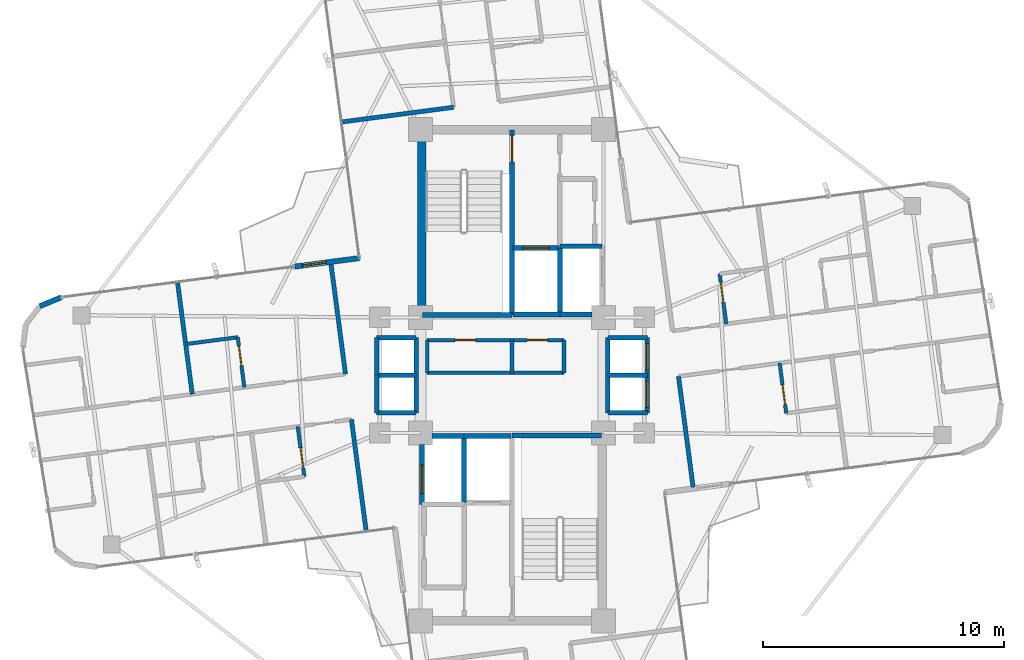
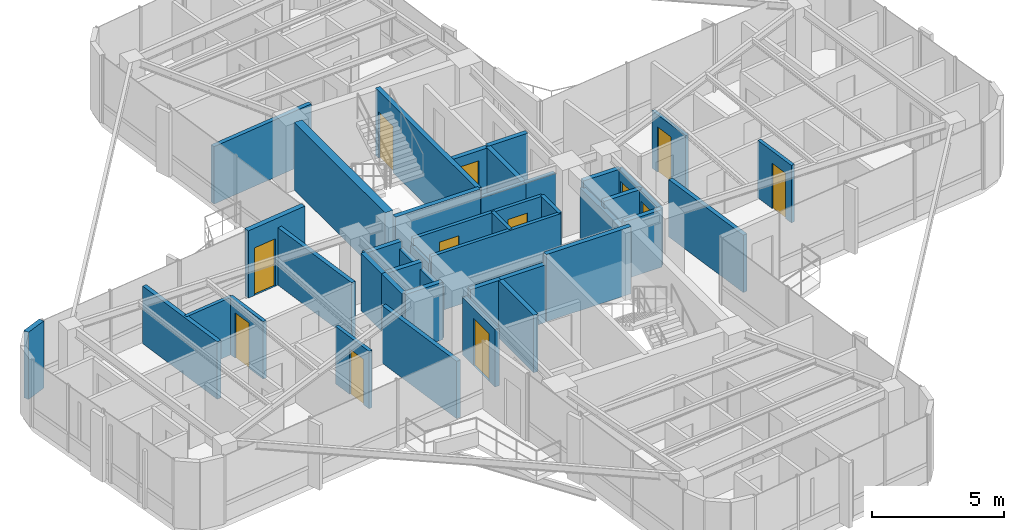
# One storey, part 19 of 22: 42 walls, 12 doors, 12 openings.
"""IFC4 building model written with IfcOpenShell, lengths in metres."""

from ifc_helpers import new_model, si_unit, direction, frame, frame_2d, origin, origin_2d, place, context, subcontext, project, spatial, rectangle, extrude, source, transform, mapped, material, layer, layer_set, type_object, element, fill, save


model = new_model("IFC4")

# Units and contexts
model_context = context("Model", 3, precision=1e-05, world=origin(), true_north=direction((0.0, 1.0)))
body_context = subcontext(model_context, "Body", "Model", "MODEL_VIEW")
ifc_project = project(units=[si_unit("LENGTHUNIT", "METRE"), si_unit("AREAUNIT", "SQUARE_METRE"), si_unit("VOLUMEUNIT", "CUBIC_METRE"), si_unit("PLANEANGLEUNIT", "RADIAN"), si_unit("MASSUNIT", "GRAM", prefix="KILO")], contexts=[model_context])

# Site, building, storey
site_placement = place(None, origin())
site = spatial("IfcSite", under=ifc_project, at=site_placement, CompositionType="ELEMENT")
building_placement = place(site_placement, origin())
building = spatial("IfcBuilding", under=site, at=building_placement, Name="Sahyath Konkavel Grand Hotel", CompositionType="ELEMENT")
storey_placement = place(building_placement, frame((0.0, 0.0, 206.5)))
storey = spatial("IfcBuildingStorey", under=building, at=storey_placement, Name="L57", CompositionType="ELEMENT", Elevation=206.5)

# Wall
ifc_material_1 = material(Name="Concrete C40/50", Category="concrete")
ifc_layer_1 = layer(ifc_material_1, 0.35009765625)
ifc_layer_set_1 = layer_set([ifc_layer_1], Name="Concrete C40/50")
wall_type_1 = type_object("IfcWallType", Name="CWALL-350", PredefinedType="SHEAR", material=ifc_layer_set_1)
wall_1_placement = place(storey_placement, frame((-3.739990234375, 2.85009765625, 0.0), z_axis=(0.0, 0.0, 1.0), x_axis=(0.0, 1.0, 0.0)))
element("IfcWall", 1, at=wall_1_placement, inside=storey, type_object=wall_type_1, Name="L57 North Core Shear Wall W", PredefinedType="SHEAR", context=body_context, shape_type="SweptSolid", body=[
    extrude(rectangle(XDim=6.89990234375, YDim=0.35009765625, at=frame_2d((3.449951171875, 0.0))), origin(), (0.0, 0.0, 1.0), 3.110107421875),
])

# Wall, opening, door
ifc_material_2 = material(Name="Warm Buff Sandstone Insulated Concrete C40/50", Category="masonry")
ifc_layer_2 = layer(ifc_material_2, 0.219970703125)
ifc_layer_set_2 = layer_set([ifc_layer_2], Name="Warm Buff Sandstone Insulated Concrete C40/50")
wall_type_2 = type_object("IfcWallType", Name="WLL-BALC-THRESH", PredefinedType="STANDARD", material=ifc_layer_set_2)
wall_2_placement = place(storey_placement, frame((-6.339111328125, 4.8642578125, 0.0), z_axis=(0.0, 0.0, 1.0), x_axis=(-0.991439824936, -0.130564442062, 0.0)))
wall_2 = element("IfcWall", 2, at=wall_2_placement, inside=storey, type_object=wall_type_2, Name="L57 Winter-Garden Threshold Wall 16", PredefinedType="STANDARD", context=body_context, shape_type="SweptSolid", body=[
    extrude(rectangle(XDim=2.7001953125, YDim=0.219970703125, at=frame_2d((1.35009765625, 0.0))), origin(), (0.0, 0.0, 1.0), 3.110107421875),
])
opening_1_placement = place(wall_2_placement, frame((1.39990234375, 0.0, 0.0)))
opening_1 = element("IfcOpeningElement", 3, at=opening_1_placement, cuts=wall_2, Name="Opening D-TR1", PredefinedType="OPENING", context=body_context, shape_type="SweptSolid", body=[
    extrude(rectangle(XDim=1.0, YDim=2.199951171875, at=frame_2d((0.5, 1.10009765625))), frame((0.0, 0.1201171875, 0.0), z_axis=(0.0, -1.0, 0.0), x_axis=(1.0, 0.0, 0.0)), (0.0, 0.0, 1.0), 0.239990234375),
])
ifc_material_3 = material(Name="Anodised Bronze Aluminium & Low-E Glazing", Category="aluminium")
door_type_1 = type_object("IfcDoorType", Name="DR-TERRACE-1000", OperationType="NOTDEFINED", PredefinedType="DOOR", material=ifc_material_3)
shared_shape_1 = source(origin(), body_context, "Body", "SweptSolid", [
    extrude(rectangle(XDim=1.0, YDim=0.050048828125, at=origin_2d()), origin(), (0.0, 0.0, 1.0), 2.199951171875),
])
door_1_placement = place(opening_1_placement, frame((0.5, 0.0, 0.0)))
door_1 = element("IfcDoor", 4, at=door_1_placement, inside=storey, type_object=door_type_1, Name="L57 Winter-Garden Terrace Door 16", OperationType="SINGLE_SWING_LEFT", OverallHeight=2.199951171875, OverallWidth=1.0, PredefinedType="DOOR", context=body_context, shape_type="MappedRepresentation", body=[
    mapped(shared_shape_1, transform((0.0, 0.0, 0.0), scale=1.0)),
])
fill(opening_1, door_1)

# Wall
wall_3_placement = place(storey_placement, frame((-18.732177734375, 3.232666015625, 0.0), z_axis=(0.0, 0.0, 1.0), x_axis=(-0.923889442397, -0.382659506909, 0.0)))
element("IfcWall", 5, at=wall_3_placement, inside=storey, type_object=wall_type_2, Name="L57 Rounded Corner Sandstone Pier 17", PredefinedType="STANDARD", context=body_context, shape_type="SweptSolid", body=[
    extrude(rectangle(XDim=0.957763671875, YDim=0.219970703125, at=frame_2d((0.47900390625, 0.0))), origin(), (0.0, 0.0, 1.0), 3.110107421875),
])

# Wall, opening, door
ifc_layer_3 = layer(ifc_material_1, 0.199951171875)
ifc_layer_set_3 = layer_set([ifc_layer_3], Name="Concrete C40/50")
wall_type_3 = type_object("IfcWallType", Name="WLL-CORE-200", PredefinedType="SOLIDWALL", material=ifc_layer_set_3)
wall_4_placement = place(storey_placement, frame((0.0, 2.5, 0.0), z_axis=(0.0, 0.0, 1.0), x_axis=(0.0, 1.0, 0.0)))
wall_4 = element("IfcWall", 6, at=wall_4_placement, inside=storey, type_object=wall_type_3, Name="L57 Stair ST-1 Shaft Wall E", PredefinedType="SOLIDWALL", context=body_context, shape_type="SweptSolid", body=[
    extrude(rectangle(XDim=7.679931640625, YDim=0.199951171875, at=frame_2d((3.83984375, 0.0))), origin(), (0.0, 0.0, 1.0), 3.110107421875),
])
opening_2_placement = place(wall_4_placement, frame((6.360107421875, 0.0, 0.0)))
opening_2 = element("IfcOpeningElement", 7, at=opening_2_placement, cuts=wall_4, Name="Opening D-F12B", PredefinedType="OPENING", context=body_context, shape_type="SweptSolid", body=[
    extrude(rectangle(XDim=1.10009765625, YDim=2.14990234375, at=frame_2d((0.550048828125, 1.074951171875))), frame((0.0, 0.10986328125, 0.0), z_axis=(0.0, -1.0, 0.0), x_axis=(1.0, 0.0, 0.0)), (0.0, 0.0, 1.0), 0.219970703125),
])
ifc_material_4 = material(Name="Steel E350 Smokeproof Fire Door", Category="steel")
door_type_2 = type_object("IfcDoorType", Name="DR-FD120-1100", OperationType="NOTDEFINED", PredefinedType="DOOR", material=ifc_material_4)
shared_shape_2 = source(origin(), body_context, "Body", "SweptSolid", [
    extrude(rectangle(XDim=1.10009765625, YDim=0.050048828125, at=origin_2d()), origin(), (0.0, 0.0, 1.0), 2.14990234375),
])
door_2_placement = place(opening_2_placement, frame((0.550048828125, 0.0, 0.0)))
door_2 = element("IfcDoor", 8, at=door_2_placement, inside=storey, type_object=door_type_2, Name="L57 Stair ST-1 Fire Door", OperationType="SINGLE_SWING_LEFT", OverallHeight=2.14990234375, OverallWidth=1.10009765625, PredefinedType="DOOR", context=body_context, shape_type="MappedRepresentation", body=[
    mapped(shared_shape_2, transform((0.0, 0.0, 0.0), scale=1.0)),
])
fill(opening_2, door_2)

# Walls
for number, where, z_axis, x_axis, name in (
    (9, (-3.719970703125, 2.5, 0.0), (0.0, 0.0, 1.0), (1.0, 0.0, 0.0), "L57 Stair ST-1 Shaft Wall S"),
    (10, (0.0, -2.5, 0.0), (0.0, 0.0, 1.0), (1.0, 0.0, 0.0), "L57 Stair ST-2 Shaft Wall N"),
):
    element("IfcWall", number, at=place(storey_placement, frame(where, z_axis=z_axis, x_axis=x_axis)), inside=storey, type_object=wall_type_3, Name=name, PredefinedType="SOLIDWALL", context=body_context, shape_type="SweptSolid", body=[
        extrude(rectangle(XDim=3.719970703125, YDim=0.199951171875, at=frame_2d((1.85986328125, 0.0))), origin(), (0.0, 0.0, 1.0), 3.110107421875),
    ])
wall_5_placement = place(storey_placement, frame((2.0, 2.5, 0.0), z_axis=(0.0, 0.0, 1.0), x_axis=(0.0, 1.0, 0.0)))
element("IfcWall", 11, at=wall_5_placement, inside=storey, type_object=wall_type_3, Name="L57 Partition SH-FFL1-E", PredefinedType="SOLIDWALL", context=body_context, shape_type="SweptSolid", body=[
    extrude(rectangle(XDim=2.780029296875, YDim=0.199951171875, at=frame_2d((1.39013671875, 0.0))), origin(), (0.0, 0.0, 1.0), 2.659912109375),
])
wall_6_placement = place(storey_placement, frame((0.050048828125, 2.52001953125, 0.0), z_axis=(0.0, 0.0, 1.0), x_axis=(1.0, 0.0, 0.0)))
element("IfcWall", 12, at=wall_6_placement, inside=storey, type_object=wall_type_3, Name="L57 Partition SH-FFL1-S", PredefinedType="SOLIDWALL", context=body_context, shape_type="SweptSolid", body=[
    extrude(rectangle(XDim=1.949951171875, YDim=0.199951171875, at=frame_2d((0.97509765625, 0.0))), origin(), (0.0, 0.0, 1.0), 2.659912109375),
])

# Wall, opening, door
wall_7_placement = place(storey_placement, frame((0.050048828125, 5.280029296875, 0.0), z_axis=(0.0, 0.0, 1.0), x_axis=(1.0, 0.0, 0.0)))
wall_7 = element("IfcWall", 13, at=wall_7_placement, inside=storey, type_object=wall_type_3, Name="L57 Partition SH-FFL1-N", PredefinedType="SOLIDWALL", context=body_context, shape_type="SweptSolid", body=[
    extrude(rectangle(XDim=1.929931640625, YDim=0.199951171875, at=frame_2d((0.96484375, 0.0))), origin(), (0.0, 0.0, 1.0), 2.659912109375),
])
opening_3_placement = place(wall_7_placement, frame((0.39990234375, 0.0, 0.0)))
opening_3 = element("IfcOpeningElement", 14, at=opening_3_placement, cuts=wall_7, Name="Opening LD-11", PredefinedType="OPENING", context=body_context, shape_type="SweptSolid", body=[
    extrude(rectangle(XDim=1.10009765625, YDim=2.199951171875, at=frame_2d((0.550048828125, 1.10009765625))), frame((0.0, 0.10986328125, 0.0), z_axis=(0.0, -1.0, 0.0), x_axis=(1.0, 0.0, 0.0)), (0.0, 0.0, 1.0), 0.219970703125),
])
ifc_material_5 = material(Name="Bronze Lift Landing Door 1100")
door_type_3 = type_object("IfcDoorType", Name="DR-LIFT-1100", OperationType="DOUBLE_DOOR_SLIDING", PredefinedType="DOOR", material=ifc_material_5)
shared_shape_3 = source(origin(), body_context, "Body", "SweptSolid", [
    extrude(rectangle(XDim=1.10009765625, YDim=0.050048828125, at=origin_2d()), origin(), (0.0, 0.0, 1.0), 2.199951171875),
])
door_3_placement = place(opening_3_placement, frame((0.550048828125, 0.0, 0.0)))
door_3 = element("IfcDoor", 15, at=door_3_placement, inside=storey, type_object=door_type_3, Name="L57 Lift FFL-1 Landing Door", OperationType="DOUBLE_DOOR_SLIDING", OverallHeight=2.199951171875, OverallWidth=1.10009765625, PredefinedType="DOOR", context=body_context, shape_type="MappedRepresentation", body=[
    mapped(shared_shape_3, transform((0.0, 0.0, 0.0), scale=1.0)),
])
fill(opening_3, door_3)

# Walls
wall_8_placement = place(storey_placement, frame((-2.0, -5.280029296875, 0.0), z_axis=(0.0, 0.0, 1.0), x_axis=(0.0, 1.0, 0.0)))
element("IfcWall", 16, at=wall_8_placement, inside=storey, type_object=wall_type_3, Name="L57 Partition SH-FFL2-W", PredefinedType="SOLIDWALL", context=body_context, shape_type="SweptSolid", body=[
    extrude(rectangle(XDim=2.780029296875, YDim=0.199951171875, at=frame_2d((1.39013671875, 0.0))), origin(), (0.0, 0.0, 1.0), 2.659912109375),
])
wall_9_placement = place(storey_placement, frame((-2.0, -2.52001953125, 0.0), z_axis=(0.0, 0.0, 1.0), x_axis=(1.0, 0.0, 0.0)))
element("IfcWall", 17, at=wall_9_placement, inside=storey, type_object=wall_type_3, Name="L57 Partition SH-FFL2-N", PredefinedType="SOLIDWALL", context=body_context, shape_type="SweptSolid", body=[
    extrude(rectangle(XDim=1.949951171875, YDim=0.199951171875, at=frame_2d((0.97509765625, 0.0))), origin(), (0.0, 0.0, 1.0), 2.659912109375),
])
wall_10_placement = place(storey_placement, frame((2.0, 2.52001953125, 0.0), z_axis=(0.0, 0.0, 1.0), x_axis=(1.0, 0.0, 0.0)))
element("IfcWall", 18, at=wall_10_placement, inside=storey, type_object=wall_type_3, Name="L57 Partition SH-SVL1-S", PredefinedType="SOLIDWALL", context=body_context, shape_type="SweptSolid", body=[
    extrude(rectangle(XDim=1.320068359375, YDim=0.199951171875, at=frame_2d((0.66015625, 0.0))), origin(), (0.0, 0.0, 1.0), 2.659912109375),
])
wall_11_placement = place(storey_placement, frame((2.0, 5.360107421875, 0.0), z_axis=(0.0, 0.0, 1.0), x_axis=(1.0, 0.0, 0.0)))
element("IfcWall", 19, at=wall_11_placement, inside=storey, type_object=wall_type_3, Name="L57 Partition SH-SVL1-N", PredefinedType="SOLIDWALL", context=body_context, shape_type="SweptSolid", body=[
    extrude(rectangle(XDim=1.739990234375, YDim=0.199951171875, at=frame_2d((0.8701171875, 0.0))), origin(), (0.0, 0.0, 1.0), 2.659912109375),
])
wall_12_placement = place(storey_placement, frame((-3.320068359375, -2.52001953125, 0.0), z_axis=(0.0, 0.0, 1.0), x_axis=(1.0, 0.0, 0.0)))
element("IfcWall", 20, at=wall_12_placement, inside=storey, type_object=wall_type_3, Name="L57 Partition SH-SVL2-N", PredefinedType="SOLIDWALL", context=body_context, shape_type="SweptSolid", body=[
    extrude(rectangle(XDim=1.320068359375, YDim=0.199951171875, at=frame_2d((0.66015625, 0.0))), origin(), (0.0, 0.0, 1.0), 2.659912109375),
])

# Wall, opening, door
wall_13_placement = place(storey_placement, frame((-3.739990234375, -5.360107421875, 0.0), z_axis=(0.0, 0.0, 1.0), x_axis=(0.0, 1.0, 0.0)))
wall_13 = element("IfcWall", 21, at=wall_13_placement, inside=storey, type_object=wall_type_3, Name="L57 Partition SH-SVL2-W", PredefinedType="SOLIDWALL", context=body_context, shape_type="SweptSolid", body=[
    extrude(rectangle(XDim=2.480224609375, YDim=0.199951171875, at=frame_2d((1.240234375, 0.0))), origin(), (0.0, 0.0, 1.0), 2.659912109375),
])
opening_4_placement = place(wall_13_placement, frame((0.43994140625, 0.0, 0.0)))
opening_4 = element("IfcOpeningElement", 22, at=opening_4_placement, cuts=wall_13, Name="Opening LD-12", PredefinedType="OPENING", context=body_context, shape_type="SweptSolid", body=[
    extrude(rectangle(XDim=1.199951171875, YDim=2.199951171875, at=frame_2d((0.60009765625, 1.10009765625))), frame((0.0, 0.10986328125, 0.0), z_axis=(0.0, -1.0, 0.0), x_axis=(1.0, 0.0, 0.0)), (0.0, 0.0, 1.0), 0.219970703125),
])
ifc_material_6 = material(Name="Stainless Steel Lift Landing Door 1200", Category="steel")
door_type_4 = type_object("IfcDoorType", Name="DR-LIFT-1200", OperationType="DOUBLE_DOOR_SLIDING", PredefinedType="DOOR", material=ifc_material_6)
shared_shape_4 = source(origin(), body_context, "Body", "SweptSolid", [
    extrude(rectangle(XDim=1.199951171875, YDim=0.050048828125, at=origin_2d()), origin(), (0.0, 0.0, 1.0), 2.199951171875),
])
door_4_placement = place(opening_4_placement, frame((0.60009765625, 0.0, 0.0)))
door_4 = element("IfcDoor", 23, at=door_4_placement, inside=storey, type_object=door_type_4, Name="L57 Service Lift SVL-2 Landing Door", OperationType="DOUBLE_DOOR_SLIDING", OverallHeight=2.199951171875, OverallWidth=1.199951171875, PredefinedType="DOOR", context=body_context, shape_type="MappedRepresentation", body=[
    mapped(shared_shape_4, transform((0.0, 0.0, 0.0), scale=1.0)),
])
fill(opening_4, door_4)

# Walls
wall_14_placement = place(storey_placement, frame((3.97998046875, -1.56005859375, 0.0), z_axis=(0.0, 0.0, 1.0), x_axis=(0.0, 1.0, 0.0)))
element("IfcWall", 24, at=wall_14_placement, inside=storey, type_object=wall_type_3, Name="L57 Partition SH-PL56-W", PredefinedType="SOLIDWALL", context=body_context, shape_type="SweptSolid", body=[
    extrude(rectangle(XDim=3.1201171875, YDim=0.199951171875, at=frame_2d((1.56005859375, 0.0))), origin(), (0.0, 0.0, 1.0), 2.330078125),
])
for number, where, z_axis, x_axis, name in (
    (25, (3.97998046875, 1.56005859375, 0.0), (0.0, 0.0, 1.0), (1.0, 0.0, 0.0), "L57 Partition SH-PL56-N"),
    (26, (3.97998046875, -1.56005859375, 0.0), (0.0, 0.0, 1.0), (1.0, 0.0, 0.0), "L57 Partition SH-PL56-S"),
    (27, (3.97998046875, 0.0, 0.0), (0.0, 0.0, 1.0), (1.0, 0.0, 0.0), "L57 Partition SH-PL56-M"),
):
    element("IfcWall", number, at=place(storey_placement, frame(where, z_axis=z_axis, x_axis=x_axis)), inside=storey, type_object=wall_type_3, Name=name, PredefinedType="SOLIDWALL", context=body_context, shape_type="SweptSolid", body=[
        extrude(rectangle(XDim=1.64013671875, YDim=0.199951171875, at=frame_2d((0.820068359375, 0.0))), origin(), (0.0, 0.0, 1.0), 2.659912109375),
    ])

# Wall, opening, door
wall_15_placement = place(storey_placement, frame((5.6201171875, 0.0, 0.0), z_axis=(0.0, 0.0, 1.0), x_axis=(0.0, 1.0, 0.0)))
wall_15 = element("IfcWall", 28, at=wall_15_placement, inside=storey, type_object=wall_type_3, Name="L57 Partition SH-PL5-E", PredefinedType="SOLIDWALL", context=body_context, shape_type="SweptSolid", body=[
    extrude(rectangle(XDim=1.56005859375, YDim=0.199951171875, at=frame_2d((0.780029296875, 0.0))), origin(), (0.0, 0.0, 1.0), 2.659912109375),
])
opening_5_placement = place(wall_15_placement, frame((0.219970703125, 0.0, 0.0)))
opening_5 = element("IfcOpeningElement", 29, at=opening_5_placement, cuts=wall_15, Name="Opening LD-11", PredefinedType="OPENING", context=body_context, shape_type="SweptSolid", body=[
    extrude(rectangle(XDim=1.10009765625, YDim=2.199951171875, at=frame_2d((0.550048828125, 1.10009765625))), frame((0.0, 0.10986328125, 0.0), z_axis=(0.0, -1.0, 0.0), x_axis=(1.0, 0.0, 0.0)), (0.0, 0.0, 1.0), 0.219970703125),
])
door_5_placement = place(opening_5_placement, frame((0.550048828125, 0.0, 0.0)))
door_5 = element("IfcDoor", 30, at=door_5_placement, inside=storey, type_object=door_type_3, Name="L57 High-Rise Lift PL-5 Landing Door", OperationType="DOUBLE_DOOR_SLIDING", OverallHeight=2.199951171875, OverallWidth=1.10009765625, PredefinedType="DOOR", context=body_context, shape_type="MappedRepresentation", body=[
    mapped(shared_shape_3, transform((0.0, 0.0, 0.0), scale=1.0)),
])
fill(opening_5, door_5)

wall_16_placement = place(storey_placement, frame((5.6201171875, -1.56005859375, 0.0), z_axis=(0.0, 0.0, 1.0), x_axis=(0.0, 1.0, 0.0)))
wall_16 = element("IfcWall", 31, at=wall_16_placement, inside=storey, type_object=wall_type_3, Name="L57 Partition SH-PL6-E", PredefinedType="SOLIDWALL", context=body_context, shape_type="SweptSolid", body=[
    extrude(rectangle(XDim=1.56005859375, YDim=0.199951171875, at=frame_2d((0.780029296875, 0.0))), origin(), (0.0, 0.0, 1.0), 2.659912109375),
])
opening_6_placement = place(wall_16_placement, frame((0.219970703125, 0.0, 0.0)))
opening_6 = element("IfcOpeningElement", 32, at=opening_6_placement, cuts=wall_16, Name="Opening LD-11", PredefinedType="OPENING", context=body_context, shape_type="SweptSolid", body=[
    extrude(rectangle(XDim=1.10009765625, YDim=2.199951171875, at=frame_2d((0.550048828125, 1.10009765625))), frame((0.0, 0.10986328125, 0.0), z_axis=(0.0, -1.0, 0.0), x_axis=(1.0, 0.0, 0.0)), (0.0, 0.0, 1.0), 0.219970703125),
])
door_6_placement = place(opening_6_placement, frame((0.550048828125, 0.0, 0.0)))
door_6 = element("IfcDoor", 33, at=door_6_placement, inside=storey, type_object=door_type_3, Name="L57 High-Rise Lift PL-6 Landing Door", OperationType="DOUBLE_DOOR_SLIDING", OverallHeight=2.199951171875, OverallWidth=1.10009765625, PredefinedType="DOOR", context=body_context, shape_type="MappedRepresentation", body=[
    mapped(shared_shape_3, transform((0.0, 0.0, 0.0), scale=1.0)),
])
fill(opening_6, door_6)

# Walls
wall_17_placement = place(storey_placement, frame((-3.97998046875, -1.56005859375, 0.0), z_axis=(0.0, 0.0, 1.0), x_axis=(0.0, 1.0, 0.0)))
element("IfcWall", 34, at=wall_17_placement, inside=storey, type_object=wall_type_3, Name="L57 Partition SH-SL12-E", PredefinedType="SOLIDWALL", context=body_context, shape_type="SweptSolid", body=[
    extrude(rectangle(XDim=3.1201171875, YDim=0.199951171875, at=frame_2d((1.56005859375, 0.0))), origin(), (0.0, 0.0, 1.0), 2.330078125),
])
for number, where, z_axis, x_axis, name in (
    (35, (-5.6201171875, 1.56005859375, 0.0), (0.0, 0.0, 1.0), (1.0, 0.0, 0.0), "L57 Partition SH-SL12-N"),
    (36, (-5.6201171875, -1.56005859375, 0.0), (0.0, 0.0, 1.0), (1.0, 0.0, 0.0), "L57 Partition SH-SL12-S"),
    (37, (-5.6201171875, 0.0, 0.0), (0.0, 0.0, 1.0), (1.0, 0.0, 0.0), "L57 Partition SH-SL12-M"),
):
    element("IfcWall", number, at=place(storey_placement, frame(where, z_axis=z_axis, x_axis=x_axis)), inside=storey, type_object=wall_type_3, Name=name, PredefinedType="SOLIDWALL", context=body_context, shape_type="SweptSolid", body=[
        extrude(rectangle(XDim=1.64013671875, YDim=0.199951171875, at=frame_2d((0.820068359375, 0.0))), origin(), (0.0, 0.0, 1.0), 2.659912109375),
    ])
for number, where, z_axis, x_axis, name in (
    (38, (-5.6201171875, 0.0, 0.0), (0.0, 0.0, 1.0), (0.0, 1.0, 0.0), "L57 Partition SH-SL1-W"),
    (39, (-5.6201171875, -1.56005859375, 0.0), (0.0, 0.0, 1.0), (0.0, 1.0, 0.0), "L57 Partition SH-SL2-W"),
):
    element("IfcWall", number, at=place(storey_placement, frame(where, z_axis=z_axis, x_axis=x_axis)), inside=storey, type_object=wall_type_3, Name=name, PredefinedType="SOLIDWALL", context=body_context, shape_type="SweptSolid", body=[
        extrude(rectangle(XDim=1.56005859375, YDim=0.199951171875, at=frame_2d((0.780029296875, 0.0))), origin(), (0.0, 0.0, 1.0), 2.659912109375),
    ])
ifc_material_7 = material(Name="Twin-Stud Acoustic Gypsum Plasterboard Partition")
ifc_layer_4 = layer(ifc_material_7, 0.179931640625)
ifc_layer_set_4 = layer_set([ifc_layer_4], Name="Twin-Stud Acoustic Gypsum Plasterboard Partition")
wall_type_4 = type_object("IfcWallType", Name="WLL-DEMISE-180", PredefinedType="PARTITIONING", material=ifc_layer_set_4)
wall_18_placement = place(storey_placement, frame((7.522216796875, -4.657958984375, 0.0), z_axis=(0.0, 0.0, 1.0), x_axis=(-0.130526496103, 0.991444821367, 0.0)))
element("IfcWall", 40, at=wall_18_placement, inside=storey, type_object=wall_type_4, Name="L57 Partition E-INR", PredefinedType="PARTITIONING", context=body_context, shape_type="SweptSolid", body=[
    extrude(rectangle(XDim=4.64990234375, YDim=0.179931640625, at=frame_2d((2.324951171875, 0.0))), origin(), (0.0, 0.0, 1.0), 2.659912109375),
])
for number, where, z_axis, x_axis, name in (
    (41, (-2.42333984375, 11.12890625, 0.0), (0.0, 0.0, 1.0), (-0.991445715827, -0.13051970184, 0.0), "L57 Partition N-INL"),
    (42, (-6.66748046875, -1.8359375, 0.0), (0.0, 0.0, 1.0), (0.13051970184, -0.991445715827, 0.0), "L57 Partition W-INL"),
):
    element("IfcWall", number, at=place(storey_placement, frame(where, z_axis=z_axis, x_axis=x_axis)), inside=storey, type_object=wall_type_4, Name=name, PredefinedType="PARTITIONING", context=body_context, shape_type="SweptSolid", body=[
        extrude(rectangle(XDim=4.650146484375, YDim=0.179931640625, at=frame_2d((2.3251953125, 0.0))), origin(), (0.0, 0.0, 1.0), 2.659912109375),
    ])
for number, where, z_axis, x_axis, name in (
    (43, (-7.522216796875, 4.657958984375, 0.0), (0.0, 0.0, 1.0), (0.130526496103, -0.991444821367, 0.0), "L57 Partition W-INR"),
    (44, (-13.279541015625, -0.7900390625, 0.0), (0.0, 0.0, 1.0), (-0.130526496103, 0.991444821367, 0.0), "L57 Partition W-W1R-DEM"),
):
    element("IfcWall", number, at=place(storey_placement, frame(where, z_axis=z_axis, x_axis=x_axis)), inside=storey, type_object=wall_type_4, Name=name, PredefinedType="PARTITIONING", context=body_context, shape_type="SweptSolid", body=[
        extrude(rectangle(XDim=4.64990234375, YDim=0.179931640625, at=frame_2d((2.324951171875, 0.0))), origin(), (0.0, 0.0, 1.0), 2.659912109375),
    ])
ifc_material_8 = material(Name="Fire-Rated Gypsum Plasterboard Partition")
ifc_layer_5 = layer(ifc_material_8, 0.14990234375)
ifc_layer_set_5 = layer_set([ifc_layer_5], Name="Fire-Rated Gypsum Plasterboard Partition")
wall_type_5 = type_object("IfcWallType", Name="WLL-PART-150", PredefinedType="PARTITIONING", material=ifc_layer_set_5)
wall_19_placement = place(storey_placement, frame((-3.52001953125, 0.10009765625, 0.0), z_axis=(0.0, 0.0, 1.0), x_axis=(1.0, 0.0, 0.0)))
element("IfcWall", 45, at=wall_19_placement, inside=storey, type_object=wall_type_5, Name="L57 Partition CC-S0-FIX", PredefinedType="PARTITIONING", context=body_context, shape_type="SweptSolid", body=[
    extrude(rectangle(XDim=5.679931640625, YDim=0.14990234375, at=frame_2d((2.83984375, 0.0))), origin(), (0.0, 0.0, 1.0), 2.659912109375),
])

# Wall, openings, doors
wall_20_placement = place(storey_placement, frame((-3.52001953125, 1.4599609375, 0.0), z_axis=(0.0, 0.0, 1.0), x_axis=(1.0, 0.0, 0.0)))
wall_20 = element("IfcWall", 46, at=wall_20_placement, inside=storey, type_object=wall_type_5, Name="L57 Partition CC-N0", PredefinedType="PARTITIONING", context=body_context, shape_type="SweptSolid", body=[
    extrude(rectangle(XDim=5.679931640625, YDim=0.14990234375, at=frame_2d((2.83984375, 0.0))), origin(), (0.0, 0.0, 1.0), 2.659912109375),
])
opening_7_placement = place(wall_20_placement, frame((1.14990234375, 0.0, 0.0)))
opening_7 = element("IfcOpeningElement", 47, at=opening_7_placement, cuts=wall_20, Name="Opening D-F06D", PredefinedType="OPENING", context=body_context, shape_type="SweptSolid", body=[
    extrude(rectangle(XDim=0.85009765625, YDim=2.10009765625, at=frame_2d((0.425048828125, 1.050048828125))), frame((0.0, 0.0849609375, 0.0), z_axis=(0.0, -1.0, 0.0), x_axis=(1.0, 0.0, 0.0)), (0.0, 0.0, 1.0), 0.169921875),
])
opening_8_placement = place(wall_20_placement, frame((4.14990234375, 0.0, 0.0)))
opening_8 = element("IfcOpeningElement", 48, at=opening_8_placement, cuts=wall_20, Name="Opening D-F06D", PredefinedType="OPENING", context=body_context, shape_type="SweptSolid", body=[
    extrude(rectangle(XDim=0.85009765625, YDim=2.10009765625, at=frame_2d((0.425048828125, 1.050048828125))), frame((0.0, 0.0849609375, 0.0), z_axis=(0.0, -1.0, 0.0), x_axis=(1.0, 0.0, 0.0)), (0.0, 0.0, 1.0), 0.169921875),
])
ifc_material_9 = material(Name="Fire-Rated Shaft Access Door")
door_type_5 = type_object("IfcDoorType", Name="DR-FD60-850", OperationType="NOTDEFINED", PredefinedType="DOOR", material=ifc_material_9)
shared_shape_5 = source(origin(), body_context, "Body", "SweptSolid", [
    extrude(rectangle(XDim=0.85009765625, YDim=0.050048828125, at=origin_2d()), origin(), (0.0, 0.0, 1.0), 2.10009765625),
])
door_7_placement = place(opening_7_placement, frame((0.425048828125, 0.0, 0.0)))
door_7 = element("IfcDoor", 49, at=door_7_placement, inside=storey, type_object=door_type_5, Name="L57 Door CC-D0A", OperationType="SINGLE_SWING_LEFT", OverallHeight=2.10009765625, OverallWidth=0.85009765625, PredefinedType="DOOR", context=body_context, shape_type="MappedRepresentation", body=[
    mapped(shared_shape_5, transform((0.0, 0.0, 0.0), scale=1.0)),
])
fill(opening_7, door_7)
door_8_placement = place(opening_8_placement, frame((0.425048828125, 0.0, 0.0)))
door_8 = element("IfcDoor", 50, at=door_8_placement, inside=storey, type_object=door_type_5, Name="L57 Door CC-D0B", OperationType="SINGLE_SWING_RIGHT", OverallHeight=2.10009765625, OverallWidth=0.85009765625, PredefinedType="DOOR", context=body_context, shape_type="MappedRepresentation", body=[
    mapped(shared_shape_5, transform((0.0, 0.0, 0.0), scale=1.0)),
])
fill(opening_8, door_8)

# Walls
wall_21_placement = place(storey_placement, frame((-3.52001953125, 0.10009765625, 0.0), z_axis=(0.0, 0.0, 1.0), x_axis=(0.0, 1.0, 0.0)))
element("IfcWall", 51, at=wall_21_placement, inside=storey, type_object=wall_type_5, Name="L57 Partition CC-W0", PredefinedType="PARTITIONING", context=body_context, shape_type="SweptSolid", body=[
    extrude(rectangle(XDim=1.35986328125, YDim=0.14990234375, at=frame_2d((0.679931640625, 0.0))), origin(), (0.0, 0.0, 1.0), 2.330078125),
])
for number, where, z_axis, x_axis, name in (
    (52, (2.159912109375, 0.10009765625, 0.0), (0.0, 0.0, 1.0), (0.0, 1.0, 0.0), "L57 Partition CC-E0"),
    (53, (0.0, 0.10009765625, 0.0), (0.0, 0.0, 1.0), (0.0, 1.0, 0.0), "L57 Partition CC-M0"),
):
    element("IfcWall", number, at=place(storey_placement, frame(where, z_axis=z_axis, x_axis=x_axis)), inside=storey, type_object=wall_type_5, Name=name, PredefinedType="PARTITIONING", context=body_context, shape_type="SweptSolid", body=[
        extrude(rectangle(XDim=1.35986328125, YDim=0.14990234375, at=frame_2d((0.679931640625, 0.0))), origin(), (0.0, 0.0, 1.0), 2.659912109375),
    ])

# Wall, opening, door
wall_22_placement = place(storey_placement, frame((8.898193359375, 2.129638671875, 0.0), z_axis=(0.0, 0.0, 1.0), x_axis=(-0.130556761174, 0.991440836415, 0.0)))
wall_22 = element("IfcWall", 54, at=wall_22_placement, inside=storey, type_object=wall_type_5, Name="L57 Partition E-E1L-BS", PredefinedType="PARTITIONING", context=body_context, shape_type="SweptSolid", body=[
    extrude(rectangle(XDim=2.10009765625, YDim=0.14990234375, at=frame_2d((1.050048828125, 0.0))), origin(), (0.0, 0.0, 1.0), 2.659912109375),
])
opening_9_placement = place(wall_22_placement, frame((0.89990234375, 0.0, 0.0)))
opening_9 = element("IfcOpeningElement", 55, at=opening_9_placement, cuts=wall_22, Name="Opening D-BT85", PredefinedType="OPENING", context=body_context, shape_type="SweptSolid", body=[
    extrude(rectangle(XDim=0.85009765625, YDim=2.10009765625, at=frame_2d((0.425048828125, 1.050048828125))), frame((0.0, 0.0849609375, 0.0), z_axis=(0.0, -1.0, 0.0), x_axis=(1.0, 0.0, 0.0)), (0.0, 0.0, 1.0), 0.169921875),
])
ifc_material_10 = material(Name="Moisture-Resistant Teak Bathroom Door")
door_type_6 = type_object("IfcDoorType", Name="DR-BATH-850", OperationType="NOTDEFINED", PredefinedType="DOOR", material=ifc_material_10)
door_9_placement = place(opening_9_placement, frame((0.425048828125, 0.0, 0.0)))
door_9 = element("IfcDoor", 56, at=door_9_placement, inside=storey, type_object=door_type_6, Name="L57 Door E-E1L-BD", OperationType="SINGLE_SWING_LEFT", OverallHeight=2.10009765625, OverallWidth=0.85009765625, PredefinedType="DOOR", context=body_context, shape_type="MappedRepresentation", body=[
    mapped(shared_shape_5, transform((0.0, 0.0, 0.0), scale=1.0)),
])
fill(opening_9, door_9)

wall_23_placement = place(storey_placement, frame((11.1162109375, 0.50537109375, 0.0), z_axis=(0.0, 0.0, 1.0), x_axis=(0.130541714651, -0.991442817683, 0.0)))
wall_23 = element("IfcWall", 57, at=wall_23_placement, inside=storey, type_object=wall_type_5, Name="L57 Partition E-E1R-BS", PredefinedType="PARTITIONING", context=body_context, shape_type="SweptSolid", body=[
    extrude(rectangle(XDim=2.100341796875, YDim=0.14990234375, at=frame_2d((1.05029296875, 0.0))), origin(), (0.0, 0.0, 1.0), 2.659912109375),
])
opening_10_placement = place(wall_23_placement, frame((0.89990234375, 0.0, 0.0)))
opening_10 = element("IfcOpeningElement", 58, at=opening_10_placement, cuts=wall_23, Name="Opening D-BT85", PredefinedType="OPENING", context=body_context, shape_type="SweptSolid", body=[
    extrude(rectangle(XDim=0.85009765625, YDim=2.10009765625, at=frame_2d((0.425048828125, 1.050048828125))), frame((0.0, 0.0849609375, 0.0), z_axis=(0.0, -1.0, 0.0), x_axis=(1.0, 0.0, 0.0)), (0.0, 0.0, 1.0), 0.169921875),
])
door_10_placement = place(opening_10_placement, frame((0.425048828125, 0.0, 0.0)))
door_10 = element("IfcDoor", 59, at=door_10_placement, inside=storey, type_object=door_type_6, Name="L57 Door E-E1R-BD", OperationType="SINGLE_SWING_LEFT", OverallHeight=2.10009765625, OverallWidth=0.85009765625, PredefinedType="DOOR", context=body_context, shape_type="MappedRepresentation", body=[
    mapped(shared_shape_5, transform((0.0, 0.0, 0.0), scale=1.0)),
])
fill(opening_10, door_10)

wall_24_placement = place(storey_placement, frame((-8.898193359375, -2.129638671875, 0.0), z_axis=(0.0, 0.0, 1.0), x_axis=(0.130556761174, -0.991440836415, 0.0)))
wall_24 = element("IfcWall", 60, at=wall_24_placement, inside=storey, type_object=wall_type_5, Name="L57 Partition W-W1L-BS", PredefinedType="PARTITIONING", context=body_context, shape_type="SweptSolid", body=[
    extrude(rectangle(XDim=2.10009765625, YDim=0.14990234375, at=frame_2d((1.050048828125, 0.0))), origin(), (0.0, 0.0, 1.0), 2.659912109375),
])
opening_11_placement = place(wall_24_placement, frame((0.89990234375, 0.0, 0.0)))
opening_11 = element("IfcOpeningElement", 61, at=opening_11_placement, cuts=wall_24, Name="Opening D-BT85", PredefinedType="OPENING", context=body_context, shape_type="SweptSolid", body=[
    extrude(rectangle(XDim=0.85009765625, YDim=2.10009765625, at=frame_2d((0.425048828125, 1.050048828125))), frame((0.0, 0.0849609375, 0.0), z_axis=(0.0, -1.0, 0.0), x_axis=(1.0, 0.0, 0.0)), (0.0, 0.0, 1.0), 0.169921875),
])
door_11_placement = place(opening_11_placement, frame((0.425048828125, 0.0, 0.0)))
door_11 = element("IfcDoor", 62, at=door_11_placement, inside=storey, type_object=door_type_6, Name="L57 Door W-W1L-BD", OperationType="SINGLE_SWING_RIGHT", OverallHeight=2.10009765625, OverallWidth=0.85009765625, PredefinedType="DOOR", context=body_context, shape_type="MappedRepresentation", body=[
    mapped(shared_shape_5, transform((0.0, 0.0, 0.0), scale=1.0)),
])
fill(opening_11, door_11)

wall_25_placement = place(storey_placement, frame((-11.1162109375, -0.50537109375, 0.0), z_axis=(0.0, 0.0, 1.0), x_axis=(-0.130541714651, 0.991442817683, 0.0)))
wall_25 = element("IfcWall", 63, at=wall_25_placement, inside=storey, type_object=wall_type_5, Name="L57 Partition W-W1R-BS", PredefinedType="PARTITIONING", context=body_context, shape_type="SweptSolid", body=[
    extrude(rectangle(XDim=2.100341796875, YDim=0.14990234375, at=frame_2d((1.05029296875, 0.0))), origin(), (0.0, 0.0, 1.0), 2.659912109375),
])
opening_12_placement = place(wall_25_placement, frame((0.89990234375, 0.0, 0.0)))
opening_12 = element("IfcOpeningElement", 64, at=opening_12_placement, cuts=wall_25, Name="Opening D-BT85", PredefinedType="OPENING", context=body_context, shape_type="SweptSolid", body=[
    extrude(rectangle(XDim=0.85009765625, YDim=2.10009765625, at=frame_2d((0.425048828125, 1.050048828125))), frame((0.0, 0.0849609375, 0.0), z_axis=(0.0, -1.0, 0.0), x_axis=(1.0, 0.0, 0.0)), (0.0, 0.0, 1.0), 0.169921875),
])
door_12_placement = place(opening_12_placement, frame((0.425048828125, 0.0, 0.0)))
door_12 = element("IfcDoor", 65, at=door_12_placement, inside=storey, type_object=door_type_6, Name="L57 Door W-W1R-BD", OperationType="SINGLE_SWING_RIGHT", OverallHeight=2.10009765625, OverallWidth=0.85009765625, PredefinedType="DOOR", context=body_context, shape_type="MappedRepresentation", body=[
    mapped(shared_shape_5, transform((0.0, 0.0, 0.0), scale=1.0)),
])
fill(opening_12, door_12)

# Wall
wall_26_placement = place(storey_placement, frame((-11.390380859375, 1.576904296875, 0.0), z_axis=(0.0, 0.0, 1.0), x_axis=(-0.991438674405, -0.130573178313, 0.0)))
element("IfcWall", 66, at=wall_26_placement, inside=storey, type_object=wall_type_5, Name="L57 Partition W-W1R-BF", PredefinedType="PARTITIONING", context=body_context, shape_type="SweptSolid", body=[
    extrude(rectangle(XDim=2.18212890625, YDim=0.14990234375, at=frame_2d((1.091064453125, 0.0))), origin(), (0.0, 0.0, 1.0), 2.659912109375),
])

save(model, "model.ifc")
